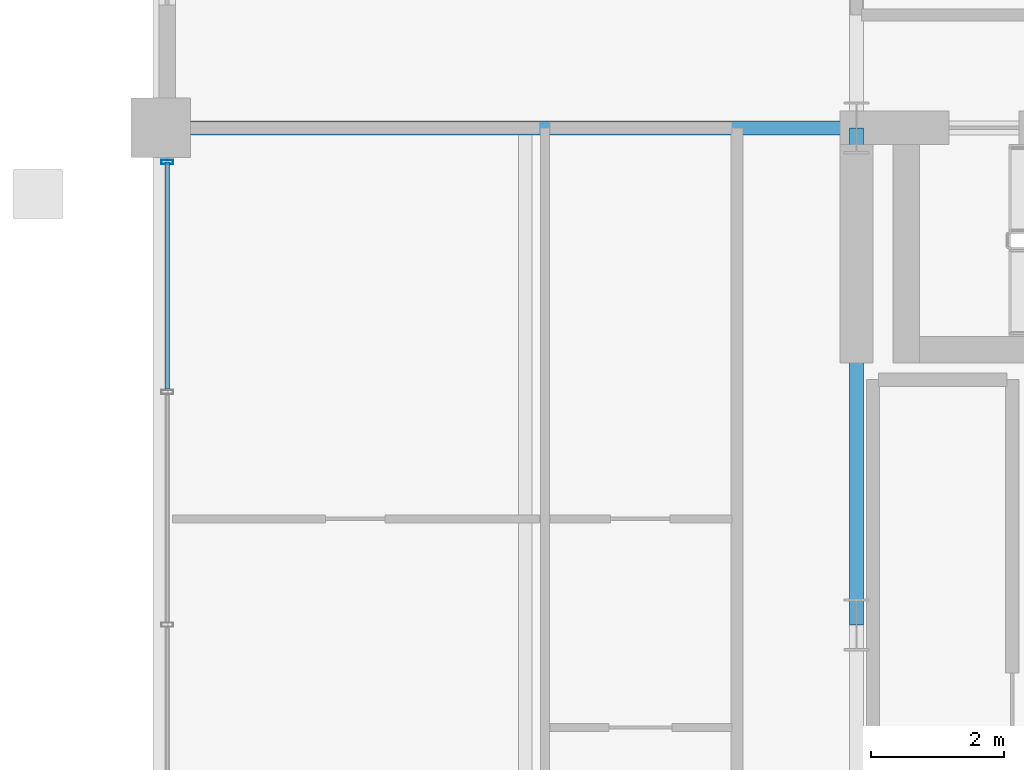
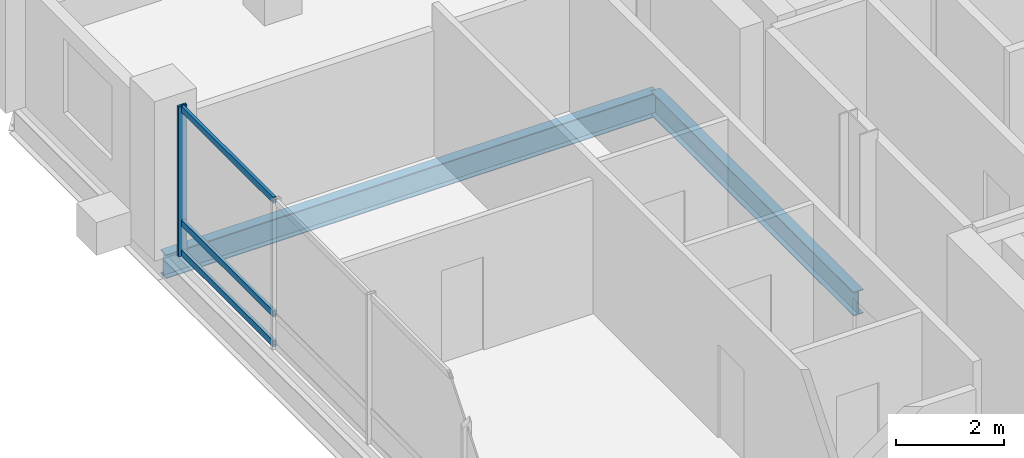
# One storey, part 8 of 21: 4 members, 2 beams, 1 element without a shape of its own.
"""IFC4 building model written with IfcOpenShell, lengths in metres."""

import ifcopenshell
import ifcopenshell.guid

model = None  # the IFC model being written
_history = None  # IfcOwnerHistory: only IFC2X3 demands one
_inside = {}  # id of a spatial element -> (the spatial element, [elements in it])
_under = {}  # id of a project, library or spatial element -> (it, [spatial elements below it])
_declared = {}  # id of a project -> (the project, [libraries it declares])
_typed = {}  # id of a type object -> (the type object, [elements of that type])
_made_of = {}  # id of a material, layer set ... -> (it, [elements and type objects made of it])


def new_model(schema):
    """Start an empty IFC model of exactly this schema.

    Asked for "IFC4X3", IfcOpenShell would pick the latest addendum, in which some entities
    have other attributes; the version numbers below select the first issue.
    IFC2X3 requires an IfcOwnerHistory on every rooted entity: one is made here for all.
    """
    global model, _history
    if schema == "IFC4X3":
        model = ifcopenshell.file(schema_version=(4, 3, 0, 0))
    else:
        model = ifcopenshell.file(schema=schema)
    _inside.clear()
    _under.clear()
    _declared.clear()
    _typed.clear()
    _made_of.clear()
    _history = None
    if model.schema == "IFC2X3":
        org = make("IfcOrganization", Name="unknown")
        user = make(
            "IfcPersonAndOrganization",
            ThePerson=make("IfcPerson", FamilyName="unknown"),
            TheOrganization=org,
        )
        app = make(
            "IfcApplication",
            ApplicationDeveloper=org,
            Version="unknown",
            ApplicationFullName="unknown",
            ApplicationIdentifier="unknown",
        )
        _history = make(
            "IfcOwnerHistory",
            OwningUser=user,
            OwningApplication=app,
            ChangeAction="ADDED",
            CreationDate=0,
        )
    return model


def make(cls, **values):
    """One entity of the class cls with the attributes given. An attribute that is None is left unset."""
    return model.create_entity(
        cls, **{name: value for name, value in values.items() if value is not None}
    )


def rooted(cls, **values):
    """An entity with a GlobalId (a new one), such as an element, a storey or a relation."""
    return make(cls, GlobalId=ifcopenshell.guid.new(), OwnerHistory=_history, **values)


def si_unit(unit_type, name, prefix=None):
    """IfcSIUnit, for example si_unit("LENGTHUNIT", "METRE", prefix="MILLI")."""
    return make("IfcSIUnit", UnitType=unit_type, Prefix=prefix, Name=name)


def assignment(units):
    """IfcUnitAssignment: the units of a project."""
    return None if units is None else make("IfcUnitAssignment", Units=units)


def point(xyz):
    """IfcCartesianPoint."""
    return None if xyz is None else make("IfcCartesianPoint", Coordinates=xyz)


def direction(xyz):
    """IfcDirection."""
    return None if xyz is None else make("IfcDirection", DirectionRatios=xyz)


def frame(location, z_axis=None, x_axis=None):
    """IfcAxis2Placement3D, a coordinate frame: its origin and axes. An axis left out is left unset."""
    return make(
        "IfcAxis2Placement3D",
        Location=point(location),
        Axis=direction(z_axis),
        RefDirection=direction(x_axis),
    )


def frame_2d(location, x_axis=None):
    """IfcAxis2Placement2D, a coordinate frame in the plane: its origin and x axis."""
    return make(
        "IfcAxis2Placement2D", Location=point(location), RefDirection=direction(x_axis)
    )


def origin():
    """The frame at (0, 0, 0) with its axes left unset."""
    return frame((0.0, 0.0, 0.0))


def origin_2d():
    """The frame at (0, 0) in the plane with its x axis left unset."""
    return frame_2d((0.0, 0.0))


def place(relative_to, where):
    """IfcLocalPlacement: puts the frame where relative to a parent placement (None: the world)."""
    return make(
        "IfcLocalPlacement", PlacementRelTo=relative_to, RelativePlacement=where
    )


def context(
    kind, dimensions, precision=None, world=None, true_north=None, identifier=None
):
    """IfcGeometricRepresentationContext, for example the 3D "Model" context."""
    return make(
        "IfcGeometricRepresentationContext",
        ContextIdentifier=identifier,
        ContextType=kind,
        CoordinateSpaceDimension=dimensions,
        Precision=precision,
        WorldCoordinateSystem=world,
        TrueNorth=true_north,
    )


def subcontext(parent, identifier, kind, view, scale=None):
    """IfcGeometricRepresentationSubContext, for example "Body" below "Model"."""
    return make(
        "IfcGeometricRepresentationSubContext",
        ContextIdentifier=identifier,
        ContextType=kind,
        ParentContext=parent,
        TargetScale=scale,
        TargetView=view,
    )


def project(units=None, contexts=None):
    """IfcProject with its units and contexts."""
    return rooted(
        "IfcProject",
        Name="project",
        RepresentationContexts=contexts,
        UnitsInContext=assignment(units),
    )


def spatial(cls, under=None, at=None, **own):
    """A site, building, storey or space (cls), placed at a placement, below another one or the project."""
    s = rooted(cls, ObjectPlacement=at, **own)
    if under is not None:
        _under.setdefault(under.id(), (under, []))[1].append(s)
    return s


def profile(cls, at=None, kind="AREA", **sizes):
    """A parametric profile (cls). Its sizes go by their IFC names, for example OverallWidth=200.0."""
    return make(cls, ProfileType=kind, Position=at, **sizes)


def hollow_rectangle(**sizes):
    """IfcRectangleHollowProfileDef."""
    return profile("IfcRectangleHollowProfileDef", **sizes)


def i_section(**sizes):
    """IfcIShapeProfileDef."""
    return profile("IfcIShapeProfileDef", **sizes)


def extrude(swept, where, along, depth):
    """IfcExtrudedAreaSolid: the profile swept, set in the frame where, extruded along a direction by depth."""
    return make(
        "IfcExtrudedAreaSolid",
        SweptArea=swept,
        Position=where,
        ExtrudedDirection=direction(along),
        Depth=depth,
    )


def shape(context_of_items, identifier, shape_type, items):
    """IfcShapeRepresentation: the items that make up one representation, for example the "Body"."""
    return make(
        "IfcShapeRepresentation",
        ContextOfItems=context_of_items,
        RepresentationIdentifier=identifier,
        RepresentationType=shape_type,
        Items=items,
    )


def material(Name=None, Category=None):
    """IfcMaterial."""
    return make("IfcMaterial", Name=Name, Category=Category)


def layer(
    of_material, thickness, ventilated=None, Name=None, Category=None, Priority=None
):
    """IfcMaterialLayer: one layer of a wall or slab, of a material (None: an air gap)."""
    return make(
        "IfcMaterialLayer",
        Material=of_material,
        LayerThickness=thickness,
        IsVentilated=ventilated,
        Name=Name,
        Category=Category,
        Priority=Priority,
    )


def layer_set(layers, Name=None):
    """IfcMaterialLayerSet."""
    return make("IfcMaterialLayerSet", MaterialLayers=layers, LayerSetName=Name)


def material_profile(
    of_material, cross_section, Name=None, Category=None, Priority=None
):
    """IfcMaterialProfile: a cross section and its material."""
    return make(
        "IfcMaterialProfile",
        Name=Name,
        Material=of_material,
        Profile=cross_section,
        Priority=Priority,
        Category=Category,
    )


def profile_set(profiles, Name=None, composite=None):
    """IfcMaterialProfileSet."""
    return make(
        "IfcMaterialProfileSet",
        Name=Name,
        MaterialProfiles=profiles,
        CompositeProfile=composite,
    )


def made_of(thing, what):
    """Note that an element or type object is made of a material, layer set ...; save() writes the relation."""
    if what is not None:
        _made_of.setdefault(what.id(), (what, []))[1].append(thing)
    return thing


def type_object(cls, material=None, **own):
    """A type object (cls), such as IfcWallType, which elements share."""
    return made_of(rooted(cls, **own), material)


def element(
    cls,
    number,
    at=None,
    inside=None,
    cuts=None,
    type_object=None,
    material=None,
    context=None,
    identifier="Body",
    shape_type=None,
    held_by="IfcProductDefinitionShape",
    body=None,
    shapes=None,
    **own,
):
    """One element of the class cls, such as IfcWall. Its Tag is "e" and its number.

    at: its placement. inside: the storey or other place that contains it. cuts: it is an
    opening in that element (IfcRelVoidsElement). A single representation is given by context,
    identifier, shape_type and body (its items); several are given by shapes. held_by: the class
    of the entity that holds the representations. save() writes the other relations.
    """
    e = rooted(cls, Tag="e%d" % number, ObjectPlacement=at, **own)
    if body is not None:
        shapes = [shape(context, identifier, shape_type, body)]
    if shapes is not None:
        e.Representation = make(held_by, Representations=shapes)
    if inside is not None:
        _inside.setdefault(inside.id(), (inside, []))[1].append(e)
    if cuts is not None:
        rooted(
            "IfcRelVoidsElement", RelatingBuildingElement=cuts, RelatedOpeningElement=e
        )
    if type_object is not None:
        _typed.setdefault(type_object.id(), (type_object, []))[1].append(e)
    return made_of(e, material)


def aggregate(whole, parts):
    """IfcRelAggregates: a whole, such as a stair, and the parts it consists of."""
    return rooted("IfcRelAggregates", RelatingObject=whole, RelatedObjects=parts)


def save(model, path):
    """Write the relations noted so far, then the file.

    IfcRelAggregates (storeys below a building ...), IfcRelContainedInSpatialStructure (elements
    in a storey), IfcRelDefinesByType, IfcRelAssociatesMaterial and IfcRelDeclares: one each for
    every whole, place, type object, material and project.
    """
    for whole, parts in _under.values():
        aggregate(whole, parts)
    for where, things in _inside.values():
        rooted(
            "IfcRelContainedInSpatialStructure",
            RelatedElements=things,
            RelatingStructure=where,
        )
    for kind, things in _typed.values():
        rooted("IfcRelDefinesByType", RelatedObjects=things, RelatingType=kind)
    for what, things in _made_of.values():
        rooted("IfcRelAssociatesMaterial", RelatedObjects=things, RelatingMaterial=what)
    for by, libraries in _declared.values():
        rooted("IfcRelDeclares", RelatingContext=by, RelatedDefinitions=libraries)
    model.write(path)


model = new_model("IFC4")

# Units and contexts
model_context = context("Model", 3, precision=1e-05, world=origin(), true_north=direction((0.0, 1.0)))
body_context = subcontext(model_context, "Body", "Model", "MODEL_VIEW")
ifc_project = project(units=[si_unit("LENGTHUNIT", "METRE"), si_unit("AREAUNIT", "SQUARE_METRE"), si_unit("VOLUMEUNIT", "CUBIC_METRE"), si_unit("PLANEANGLEUNIT", "RADIAN"), si_unit("MASSUNIT", "GRAM", prefix="KILO")], contexts=[model_context])

# Site, building, storey
site_placement = place(None, origin())
site = spatial("IfcSite", under=ifc_project, at=site_placement, CompositionType="ELEMENT")
building_placement = place(site_placement, origin())
building = spatial("IfcBuilding", under=site, at=building_placement, Name="Barlavira Tower and Art Museum", CompositionType="ELEMENT")
storey_placement = place(building_placement, frame((0.0, 0.0, 297.89990234375)))
storey = spatial("IfcBuildingStorey", under=building, at=storey_placement, Name="L78", CompositionType="ELEMENT", Elevation=297.89990234375)

# Curtain wall, members
ifc_material_1 = material(Name="Low-iron coastal laminated glass", Category="glass")
ifc_layer = layer(ifc_material_1, 0.2099609375, Name="Low-iron coastal laminated glass")
ifc_layer_set = layer_set([ifc_layer], Name="Low-iron coastal laminated glass")
curtain_wall_type = type_object("IfcCurtainWallType", Name="Pale-Metal Unitised Curtain Wall Zone 4", PredefinedType="NOTDEFINED", material=ifc_layer_set)
curtain_wall_placement = place(storey_placement, origin())
curtain_wall = element("IfcCurtainWall", 1, at=curtain_wall_placement, inside=storey, type_object=curtain_wall_type, Name="L78 Curtain Wall CW4-L78-W-B3", PredefinedType="NOTDEFINED")
ifc_material_2 = material(Name="Pale anodised aluminium", Category="aluminium")
ifc_material_profile_1 = material_profile(ifc_material_2, hollow_rectangle(XDim=0.06494140625, YDim=0.179931640625, WallThickness=0.00390625, at=origin_2d()), Name="ALU-MULL 65x180x4")
ifc_profile_set_1 = profile_set([ifc_material_profile_1], Name="Pale anodised aluminium")
member_type_1 = type_object("IfcMemberType", Name="Curtain Wall Pale-Metal Mullion 65x180", PredefinedType="MULLION", material=ifc_profile_set_1)
member_1_placement = place(storey_placement, frame((-16.89990234375, 6.985107421875, 0.0), z_axis=(0.0, 0.0, 1.0), x_axis=(0.0, -1.0, 0.0)))
member_1 = element("IfcMember", 2, at=member_1_placement, type_object=member_type_1, Name="CW4-L78-W-B3 Mullion 0", PredefinedType="MULLION", context=body_context, shape_type="SweptSolid", body=[
    extrude(hollow_rectangle(XDim=0.06494140625, YDim=0.179931640625, WallThickness=0.00390625, at=origin_2d()), origin(), (0.0, 0.0, 1.0), 3.380126953125),
])
ifc_material_profile_2 = material_profile(ifc_material_2, hollow_rectangle(XDim=0.06494140625, YDim=0.139892578125, WallThickness=0.00390625, at=origin_2d()), Name="ALU-TRAN 65x140x4")
ifc_profile_set_2 = profile_set([ifc_material_profile_2], Name="Pale anodised aluminium")
member_type_2 = type_object("IfcMemberType", Name="Curtain Wall Pale-Metal Transom 65x140", PredefinedType="USERDEFINED", material=ifc_profile_set_2)
member_2_placement = place(storey_placement, frame((-16.89990234375, 6.985107421875, 0.070068359375), z_axis=(0.0, -1.0, 0.0), x_axis=(1.0, 0.0, 0.0)))
member_2 = element("IfcMember", 3, at=member_2_placement, type_object=member_type_2, Name="CW4-L78-W-B3 Transom 0.1", ObjectType="TRANSOM", PredefinedType="USERDEFINED", context=body_context, shape_type="SweptSolid", body=[
    extrude(hollow_rectangle(XDim=0.06494140625, YDim=0.139892578125, WallThickness=0.00390625, at=origin_2d()), origin(), (0.0, 0.0, 1.0), 3.425048828125),
])
member_3_placement = place(storey_placement, frame((-16.89990234375, 6.985107421875, 0.744140625), z_axis=(0.0, -1.0, 0.0), x_axis=(1.0, 0.0, 0.0)))
member_3 = element("IfcMember", 4, at=member_3_placement, type_object=member_type_2, Name="CW4-L78-W-B3 Transom 0.2", ObjectType="TRANSOM", PredefinedType="USERDEFINED", context=body_context, shape_type="SweptSolid", body=[
    extrude(hollow_rectangle(XDim=0.06494140625, YDim=0.139892578125, WallThickness=0.00390625, at=origin_2d()), origin(), (0.0, 0.0, 1.0), 3.425048828125),
])
member_4_placement = place(storey_placement, frame((-16.89990234375, 6.985107421875, 3.31005859375), z_axis=(0.0, -1.0, 0.0), x_axis=(1.0, 0.0, 0.0)))
member_4 = element("IfcMember", 5, at=member_4_placement, type_object=member_type_2, Name="CW4-L78-W-B3 Transom 0.3", ObjectType="TRANSOM", PredefinedType="USERDEFINED", context=body_context, shape_type="SweptSolid", body=[
    extrude(hollow_rectangle(XDim=0.06494140625, YDim=0.139892578125, WallThickness=0.00390625, at=origin_2d()), origin(), (0.0, 0.0, 1.0), 3.425048828125),
])
aggregate(curtain_wall, [member_1, member_2, member_3, member_4])

# Beams
ifc_material_3 = material(Name="Steel S355", Category="steel")
ifc_material_profile_3 = material_profile(ifc_material_3, i_section(OverallWidth=0.2109375, OverallDepth=0.5390625, WebThickness=0.01171875, FlangeThickness=0.018798828125, at=origin_2d()), Name="W530x109.0")
ifc_profile_set_3 = profile_set([ifc_material_profile_3], Name="Steel S355")
beam_type = type_object("IfcBeamType", Name="Zone 3-4 Primary Floor Girder W530x109 Steel S355", PredefinedType="BEAM", material=ifc_profile_set_3)
beam_1_placement = place(storey_placement, frame((-6.5, 0.0, -0.489501953125), z_axis=(0.0, 1.0, 0.0), x_axis=(-1.0, 0.0, 0.0)))
element("IfcBeam", 6, at=beam_1_placement, inside=storey, type_object=beam_type, Name="L78 Girder C-W2", PredefinedType="BEAM", context=body_context, shape_type="SweptSolid", body=[
    extrude(i_section(OverallWidth=0.2109375, OverallDepth=0.5390625, WebThickness=0.01171875, FlangeThickness=0.018798828125, at=origin_2d()), origin(), (0.0, 0.0, 1.0), 7.5),
])
beam_2_placement = place(storey_placement, frame((-17.0, 7.5, -0.489501953125), z_axis=(1.0, 0.0, 0.0), x_axis=(0.0, 1.0, 0.0)))
element("IfcBeam", 7, at=beam_2_placement, inside=storey, type_object=beam_type, Name="L78 Girder R-W2", PredefinedType="BEAM", context=body_context, shape_type="SweptSolid", body=[
    extrude(i_section(OverallWidth=0.2109375, OverallDepth=0.5390625, WebThickness=0.01171875, FlangeThickness=0.018798828125, at=origin_2d()), origin(), (0.0, 0.0, 1.0), 10.5),
])

save(model, "model.ifc")
